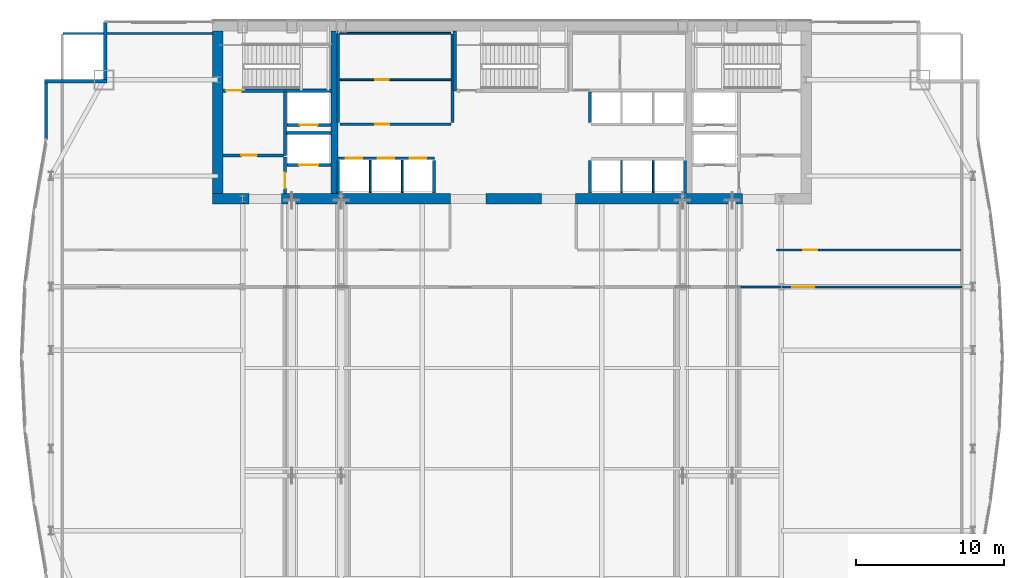
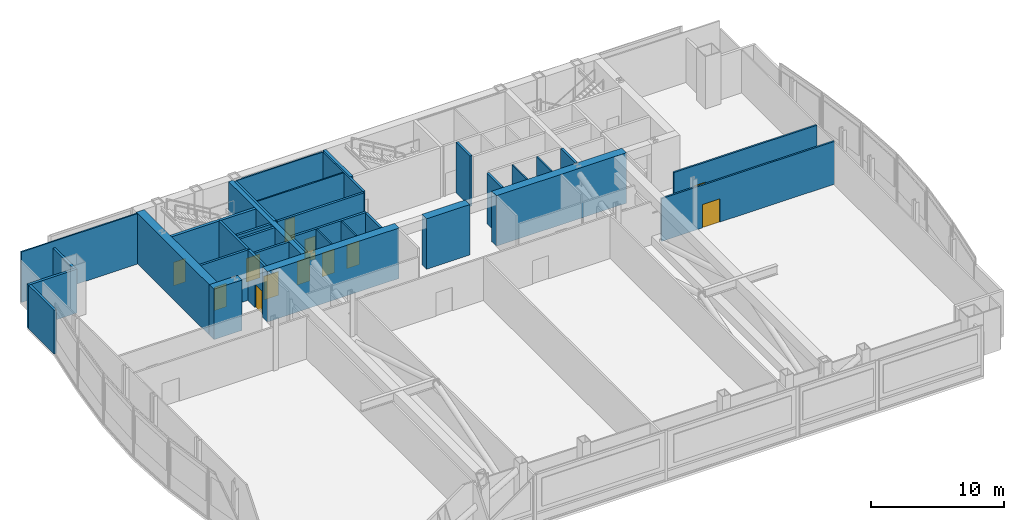
# One storey, part 25 of 30: 35 walls, 12 doors, 12 openings.
"""IFC4 building model written with IfcOpenShell, lengths in metres."""

from ifc_helpers import new_model, si_unit, direction, frame, frame_2d, origin, place, context, subcontext, project, spatial, rectangle, extrude, material, layer, layer_set, type_object, element, fill, save


model = new_model("IFC4")

# Units and contexts
model_context = context("Model", 3, precision=1e-05, world=origin(), true_north=direction((0.0, 1.0)))
body_context = subcontext(model_context, "Body", "Model", "MODEL_VIEW")
ifc_project = project(units=[si_unit("LENGTHUNIT", "METRE"), si_unit("AREAUNIT", "SQUARE_METRE"), si_unit("VOLUMEUNIT", "CUBIC_METRE"), si_unit("PLANEANGLEUNIT", "RADIAN"), si_unit("MASSUNIT", "GRAM", prefix="KILO")], contexts=[model_context])

# Site, building, storey
site_placement = place(None, origin())
site = spatial("IfcSite", under=ifc_project, at=site_placement, CompositionType="ELEMENT")
building_placement = place(site_placement, origin())
building = spatial("IfcBuilding", under=site, at=building_placement, Name="Khoronbel Lancet Exchange", CompositionType="ELEMENT")
storey_placement = place(building_placement, frame((0.0, 0.0, 172.199951171875)))
storey = spatial("IfcBuildingStorey", under=building, at=storey_placement, Name="L43", CompositionType="ELEMENT", Elevation=172.199951171875)

# Walls
ifc_material_1 = material(Name="Concrete C80/95", Category="concrete")
ifc_layer_1 = layer(ifc_material_1, 0.699951171875, Name="Concrete C80/95")
ifc_layer_set_1 = layer_set([ifc_layer_1], Name="Concrete C80/95")
wall_type_1 = type_object("IfcWallType", Name="WL-CW2", PredefinedType="SHEAR", material=ifc_layer_set_1)
wall_1_placement = place(storey_placement, frame((16.550048828125, 42.0, 0.0), z_axis=(0.0, 0.0, 1.0), x_axis=(0.0, 1.0, 0.0)))
element("IfcWall", 1, at=wall_1_placement, inside=storey, type_object=wall_type_1, Name="Level L43 rear core west shear wall", PredefinedType="SHEAR", context=body_context, shape_type="SweptSolid", body=[
    extrude(rectangle(XDim=11.0, YDim=0.699951171875, at=frame_2d((5.5, 0.0))), origin(), (0.0, 0.0, 1.0), 4.64013671875),
])
wall_2_placement = place(storey_placement, frame((18.64990234375, 41.64990234375, 0.0), z_axis=(0.0, 0.0, 1.0), x_axis=(-1.0, 0.0, 0.0)))
element("IfcWall", 2, at=wall_2_placement, inside=storey, type_object=wall_type_1, Name="Level L43 rear core south shear wall pier P1", PredefinedType="SHEAR", context=body_context, shape_type="SweptSolid", body=[
    extrude(rectangle(XDim=2.449951171875, YDim=0.699951171875, at=frame_2d((1.22509765625, 0.0))), origin(), (0.0, 0.0, 1.0), 4.64013671875),
])
wall_3_placement = place(storey_placement, frame((32.300048828125, 41.64990234375, 0.0), z_axis=(0.0, 0.0, 1.0), x_axis=(-1.0, 0.0, 0.0)))
element("IfcWall", 3, at=wall_3_placement, inside=storey, type_object=wall_type_1, Name="Level L43 rear core south shear wall pier P2", PredefinedType="SHEAR", context=body_context, shape_type="SweptSolid", body=[
    extrude(rectangle(XDim=11.449951171875, YDim=0.699951171875, at=frame_2d((5.72509765625, 0.0))), origin(), (0.0, 0.0, 1.0), 4.64013671875),
])
wall_4_placement = place(storey_placement, frame((38.449951171875, 41.64990234375, 0.0), z_axis=(0.0, 0.0, 1.0), x_axis=(-1.0, 0.0, 0.0)))
element("IfcWall", 4, at=wall_4_placement, inside=storey, type_object=wall_type_1, Name="Level L43 rear core south shear wall pier P3", PredefinedType="SHEAR", context=body_context, shape_type="SweptSolid", body=[
    extrude(rectangle(XDim=3.75, YDim=0.699951171875, at=frame_2d((1.875, 0.0))), origin(), (0.0, 0.0, 1.0), 4.64013671875),
])
wall_5_placement = place(storey_placement, frame((52.050048828125, 41.64990234375, 0.0), z_axis=(0.0, 0.0, 1.0), x_axis=(-1.0, 0.0, 0.0)))
element("IfcWall", 5, at=wall_5_placement, inside=storey, type_object=wall_type_1, Name="Level L43 rear core south shear wall pier P4", PredefinedType="SHEAR", context=body_context, shape_type="SweptSolid", body=[
    extrude(rectangle(XDim=11.300048828125, YDim=0.699951171875, at=frame_2d((5.64990234375, 0.0))), origin(), (0.0, 0.0, 1.0), 4.64013671875),
])
ifc_material_2 = material(Name="Precast concrete C40/50", Category="concrete")
ifc_layer_2 = layer(ifc_material_2, 0.25, Name="Precast concrete C40/50")
ifc_layer_set_2 = layer_set([ifc_layer_2], Name="Precast concrete C40/50")
wall_type_2 = type_object("IfcWallType", Name="WL-EXT250", PredefinedType="SOLIDWALL", material=ifc_layer_set_2)
wall_6_placement = place(storey_placement, frame((4.93994140625, 45.67236328125, 0.0), z_axis=(0.0, 0.0, 1.0), x_axis=(0.0, 1.0, 0.0)))
element("IfcWall", 6, at=wall_6_placement, inside=storey, type_object=wall_type_2, Name="Level L43 notched-corner limestone pier 10", PredefinedType="SOLIDWALL", context=body_context, shape_type="SweptSolid", body=[
    extrude(rectangle(XDim=3.82763671875, YDim=0.219970703125, at=frame_2d((1.913818359375, 0.0))), origin(), (0.0, 0.0, 1.0), 4.030029296875),
])
wall_7_placement = place(storey_placement, frame((4.830078125, 49.610107421875, 0.0), z_axis=(0.0, 0.0, 1.0), x_axis=(1.0, 0.0, 0.0)))
element("IfcWall", 7, at=wall_7_placement, inside=storey, type_object=wall_type_2, Name="Level L43 notched-corner limestone pier 11", PredefinedType="SOLIDWALL", context=body_context, shape_type="SweptSolid", body=[
    extrude(rectangle(XDim=4.219970703125, YDim=0.219970703125, at=frame_2d((2.10986328125, 0.0))), origin(), (0.0, 0.0, 1.0), 4.030029296875),
])
wall_8_placement = place(storey_placement, frame((8.93994140625, 49.719970703125, 0.0), z_axis=(0.0, 0.0, 1.0), x_axis=(0.0, 1.0, 0.0)))
element("IfcWall", 8, at=wall_8_placement, inside=storey, type_object=wall_type_2, Name="Level L43 notched-corner limestone pier 12", PredefinedType="SOLIDWALL", context=body_context, shape_type="SweptSolid", body=[
    extrude(rectangle(XDim=3.909912109375, YDim=0.219970703125, at=frame_2d((1.955078125, 0.0))), origin(), (0.0, 0.0, 1.0), 4.030029296875),
])
ifc_material_3 = material(Name="Acoustic Metal-Stud & Mineral-Wool Gypsum Partition 120 mm", Category="gypsum")
ifc_layer_3 = layer(ifc_material_3, 0.1201171875, Name="Acoustic Metal-Stud & Mineral-Wool Gypsum Partition 120 mm")
ifc_layer_set_3 = layer_set([ifc_layer_3], Name="Acoustic Metal-Stud & Mineral-Wool Gypsum Partition 120 mm")
wall_type_3 = type_object("IfcWallType", Name="WL-PRT120", PredefinedType="PARTITIONING", material=ifc_layer_set_3)
wall_9_placement = place(storey_placement, frame((6.094970703125, 52.840087890625, 0.0), z_axis=(0.0, 0.0, 1.0), x_axis=(1.0, 0.0, 0.0)))
element("IfcWall", 9, at=wall_9_placement, inside=storey, type_object=wall_type_3, Name="Level L43 interior partition PW-LIN-NW", PredefinedType="PARTITIONING", context=body_context, shape_type="SweptSolid", body=[
    extrude(rectangle(XDim=10.10498046875, YDim=0.1201171875, at=frame_2d((5.052490234375, 0.0))), origin(), (0.0, 0.0, 1.0), 4.64013671875),
])
ifc_material_4 = material(Name="Fire-Rated Metal-Stud & Mineral-Wool Gypsum Partition 120 mm", Category="gypsum")
ifc_layer_4 = layer(ifc_material_4, 0.1201171875, Name="Fire-Rated Metal-Stud & Mineral-Wool Gypsum Partition 120 mm")
ifc_layer_set_4 = layer_set([ifc_layer_4], Name="Fire-Rated Metal-Stud & Mineral-Wool Gypsum Partition 120 mm")
wall_type_4 = type_object("IfcWallType", Name="WL-PRT120F", PredefinedType="PARTITIONING", material=ifc_layer_set_4)
wall_10_placement = place(storey_placement, frame((24.804931640625, 52.860107421875, 0.0), z_axis=(0.0, 0.0, 1.0), x_axis=(1.0, 0.0, 0.0)))
element("IfcWall", 10, at=wall_10_placement, inside=storey, type_object=wall_type_4, Name="Level L43 interior partition CW-PL-RN", PredefinedType="PARTITIONING", context=body_context, shape_type="SweptSolid", body=[
    extrude(rectangle(XDim=7.510009765625, YDim=0.1201171875, at=frame_2d((3.7548828125, 0.0))), origin(), (0.0, 0.0, 1.0), 4.64013671875),
])

# Wall, opening, door
wall_11_placement = place(storey_placement, frame((24.804931640625, 49.708740234375, 0.0), z_axis=(0.0, 0.0, 1.0), x_axis=(1.0, 0.0, 0.0)))
wall_11 = element("IfcWall", 11, at=wall_11_placement, inside=storey, type_object=wall_type_4, Name="Level L43 interior partition CW-PL-RH", PredefinedType="PARTITIONING", context=body_context, shape_type="SweptSolid", body=[
    extrude(rectangle(XDim=7.510009765625, YDim=0.1201171875, at=frame_2d((3.7548828125, 0.0))), origin(), (0.0, 0.0, 1.0), 4.64013671875),
])
opening_1_placement = place(wall_11_placement, frame((2.39990234375, 0.0, 0.0)))
opening_1 = element("IfcOpeningElement", 12, at=opening_1_placement, cuts=wall_11, Name="Opening FD4", PredefinedType="OPENING", context=body_context, shape_type="SweptSolid", body=[
    extrude(rectangle(XDim=0.89990234375, YDim=2.050048828125, at=frame_2d((0.449951171875, 1.02490234375))), frame((0.0, 0.070068359375, 0.0), z_axis=(0.0, -1.0, 0.0), x_axis=(1.0, 0.0, 0.0)), (0.0, 0.0, 1.0), 0.14013671875),
])
ifc_material_5 = material(Name="Fire-Rated Steel Core Support Door Assembly", Category="steel")
door_type_1 = type_object("IfcDoorType", Name="DR-FD4", OperationType="NOTDEFINED", PredefinedType="DOOR", material=ifc_material_5)
door_1_placement = place(opening_1_placement, origin())
door_1 = element("IfcDoor", 13, at=door_1_placement, inside=storey, type_object=door_type_1, Name="Core PL inner store door L43-1", OperationType="SINGLE_SWING_LEFT", OverallHeight=2.050048828125, OverallWidth=0.89990234375, PredefinedType="DOOR", context=body_context, shape_type="SweptSolid", body=[
    extrude(rectangle(XDim=0.89990234375, YDim=2.050048828125, at=frame_2d((0.449951171875, 1.02490234375))), frame((0.0, 0.02490234375, 0.0), z_axis=(0.0, -1.0, 0.0), x_axis=(1.0, 0.0, 0.0)), (0.0, 0.0, 1.0), 0.050048828125),
])
fill(opening_1, door_1)

# Walls
for number, where, z_axis, x_axis, name in (
    (14, (26.860107421875, 42.050048828125, 0.0), (0.0, 0.0, 1.0), (0.0, 1.0, 0.0), "Level L43 interior partition CW-PM-D1"),
    (15, (29.02001953125, 42.050048828125, 0.0), (0.0, 0.0, 1.0), (0.0, 1.0, 0.0), "Level L43 interior partition CW-PM-D2"),
):
    element("IfcWall", number, at=place(storey_placement, frame(where, z_axis=z_axis, x_axis=x_axis)), inside=storey, type_object=wall_type_4, Name=name, PredefinedType="PARTITIONING", context=body_context, shape_type="SweptSolid", body=[
        extrude(rectangle(XDim=2.199951171875, YDim=0.1201171875, at=frame_2d((1.10009765625, 0.0))), origin(), (0.0, 0.0, 1.0), 4.64013671875),
    ])
for number, where, z_axis, x_axis, name in (
    (16, (43.860107421875, 42.050048828125, 0.0), (0.0, 0.0, 1.0), (0.0, 1.0, 0.0), "Level L43 interior partition CW-PX-D1"),
    (17, (46.0, 42.050048828125, 0.0), (0.0, 0.0, 1.0), (0.0, 1.0, 0.0), "Level L43 interior partition CW-PX-D2"),
):
    element("IfcWall", number, at=place(storey_placement, frame(where, z_axis=z_axis, x_axis=x_axis)), inside=storey, type_object=wall_type_4, Name=name, PredefinedType="PARTITIONING", context=body_context, shape_type="SweptSolid", body=[
        extrude(rectangle(XDim=2.195068359375, YDim=0.1201171875, at=frame_2d((1.09765625, 0.0))), origin(), (0.0, 0.0, 1.0), 4.64013671875),
    ])

# Wall, opening, door
ifc_material_6 = material(Name="Fire-Rated Twin-Stud Acoustic Gypsum Partition 150 mm", Category="gypsum")
ifc_layer_5 = layer(ifc_material_6, 0.14990234375, Name="Fire-Rated Twin-Stud Acoustic Gypsum Partition 150 mm")
ifc_layer_set_5 = layer_set([ifc_layer_5], Name="Fire-Rated Twin-Stud Acoustic Gypsum Partition 150 mm")
wall_type_5 = type_object("IfcWallType", Name="WL-PRT150C", PredefinedType="PARTITIONING", material=ifc_layer_set_5)
wall_12_placement = place(storey_placement, frame((51.85009765625, 35.699951171875, 0.0), z_axis=(0.0, 0.0, 1.0), x_axis=(1.0, 0.0, 0.0)))
wall_12 = element("IfcWall", 18, at=wall_12_placement, inside=storey, type_object=wall_type_5, Name="Level L43 interior partition PW-RF-S6", PredefinedType="PARTITIONING", context=body_context, shape_type="SweptSolid", body=[
    extrude(rectangle(XDim=15.02001953125, YDim=0.14990234375, at=frame_2d((7.510009765625, 0.0))), origin(), (0.0, 0.0, 1.0), 3.929931640625),
])
opening_2_placement = place(wall_12_placement, frame((3.550048828125, 0.0, 0.0)))
opening_2 = element("IfcOpeningElement", 19, at=opening_2_placement, cuts=wall_12, Name="Opening FD2", PredefinedType="OPENING", context=body_context, shape_type="SweptSolid", body=[
    extrude(rectangle(XDim=1.5, YDim=2.14990234375, at=frame_2d((0.75, 1.074951171875))), frame((0.0, 0.0849609375, 0.0), z_axis=(0.0, -1.0, 0.0), x_axis=(1.0, 0.0, 0.0)), (0.0, 0.0, 1.0), 0.169921875),
])
ifc_material_7 = material(Name="Fire-Rated Painted Steel Door Assembly", Category="steel")
door_type_2 = type_object("IfcDoorType", Name="DR-FD2", OperationType="NOTDEFINED", PredefinedType="DOOR", material=ifc_material_7)
door_2_placement = place(opening_2_placement, origin())
door_2 = element("IfcDoor", 20, at=door_2_placement, inside=storey, type_object=door_type_2, Name="East refuge area fire door L43-1", OperationType="DOUBLE_DOOR_SINGLE_SWING", OverallHeight=2.14990234375, OverallWidth=1.5, PredefinedType="DOOR", context=body_context, shape_type="SweptSolid", body=[
    extrude(rectangle(XDim=1.5, YDim=2.14990234375, at=frame_2d((0.75, 1.074951171875))), frame((0.0, 0.02490234375, 0.0), z_axis=(0.0, -1.0, 0.0), x_axis=(1.0, 0.0, 0.0)), (0.0, 0.0, 1.0), 0.050048828125),
])
fill(opening_2, door_2)

wall_13_placement = place(storey_placement, frame((54.35009765625, 38.199951171875, 0.0), z_axis=(0.0, 0.0, 1.0), x_axis=(1.0, 0.0, 0.0)))
wall_13 = element("IfcWall", 21, at=wall_13_placement, inside=storey, type_object=wall_type_5, Name="Level L43 interior partition PW-RF-NES", PredefinedType="PARTITIONING", context=body_context, shape_type="SweptSolid", body=[
    extrude(rectangle(XDim=12.454833984375, YDim=0.14990234375, at=frame_2d((6.2275390625, 0.0))), origin(), (0.0, 0.0, 1.0), 3.929931640625),
])
opening_3_placement = place(wall_13_placement, frame((1.800048828125, 0.0, 0.0)))
opening_3 = element("IfcOpeningElement", 22, at=opening_3_placement, cuts=wall_13, Name="Opening FD3", PredefinedType="OPENING", context=body_context, shape_type="SweptSolid", body=[
    extrude(rectangle(XDim=0.949951171875, YDim=2.10009765625, at=frame_2d((0.47509765625, 1.050048828125))), frame((0.0, 0.0849609375, 0.0), z_axis=(0.0, -1.0, 0.0), x_axis=(1.0, 0.0, 0.0)), (0.0, 0.0, 1.0), 0.169921875),
])
ifc_material_8 = material(Name="Fire-Rated Steel Plant & Riser Door Assembly", Category="steel")
door_type_3 = type_object("IfcDoorType", Name="DR-FD3", OperationType="NOTDEFINED", PredefinedType="DOOR", material=ifc_material_8)
door_3_placement = place(opening_3_placement, origin())
door_3 = element("IfcDoor", 23, at=door_3_placement, inside=storey, type_object=door_type_3, Name="NE UPS plant door L43-1", OperationType="SINGLE_SWING_RIGHT", OverallHeight=2.10009765625, OverallWidth=0.949951171875, PredefinedType="DOOR", context=body_context, shape_type="SweptSolid", body=[
    extrude(rectangle(XDim=0.949951171875, YDim=2.10009765625, at=frame_2d((0.47509765625, 1.050048828125))), frame((0.0, 0.02490234375, 0.0), z_axis=(0.0, -1.0, 0.0), x_axis=(1.0, 0.0, 0.0)), (0.0, 0.0, 1.0), 0.050048828125),
])
fill(opening_3, door_3)

# Wall, openings, doors
ifc_material_9 = material(Name="Autoclaved Aerated Concrete Blockwork 200 mm", Category="masonry")
ifc_layer_6 = layer(ifc_material_9, 0.199951171875, Name="Autoclaved Aerated Concrete Blockwork 200 mm")
ifc_layer_set_6 = layer_set([ifc_layer_6], Name="Autoclaved Aerated Concrete Blockwork 200 mm")
wall_type_6 = type_object("IfcWallType", Name="WL-PRT200", PredefinedType="PARTITIONING", material=ifc_layer_set_6)
wall_14_placement = place(storey_placement, frame((24.68994140625, 44.39990234375, 0.0), z_axis=(0.0, 0.0, 1.0), x_axis=(1.0, 0.0, 0.0)))
wall_14 = element("IfcWall", 24, at=wall_14_placement, inside=storey, type_object=wall_type_6, Name="Level L43 elevator hoistway landing front wall PMW", PredefinedType="PARTITIONING", context=body_context, shape_type="SweptSolid", body=[
    extrude(rectangle(XDim=6.530029296875, YDim=0.199951171875, at=frame_2d((3.26513671875, 0.0))), origin(), (0.0, 0.0, 1.0), 4.64013671875),
])
opening_4_placement = place(wall_14_placement, frame((0.530029296875, 0.0, 0.0)))
opening_4 = element("IfcOpeningElement", 25, at=opening_4_placement, cuts=wall_14, Name="Opening LD-PM1", PredefinedType="OPENING", context=body_context, shape_type="SweptSolid", body=[
    extrude(rectangle(XDim=1.10009765625, YDim=2.179931640625, at=frame_2d((0.550048828125, 1.08984375))), frame((0.0, 0.10986328125, 0.0), z_axis=(0.0, -1.0, 0.0), x_axis=(1.0, 0.0, 0.0)), (0.0, 0.0, 1.0), 0.219970703125),
])
opening_5_placement = place(wall_14_placement, frame((2.68994140625, 0.0, 0.0)))
opening_5 = element("IfcOpeningElement", 26, at=opening_5_placement, cuts=wall_14, Name="Opening LD-PM2", PredefinedType="OPENING", context=body_context, shape_type="SweptSolid", body=[
    extrude(rectangle(XDim=1.10009765625, YDim=2.179931640625, at=frame_2d((0.550048828125, 1.08984375))), frame((0.0, 0.10986328125, 0.0), z_axis=(0.0, -1.0, 0.0), x_axis=(1.0, 0.0, 0.0)), (0.0, 0.0, 1.0), 0.219970703125),
])
opening_6_placement = place(wall_14_placement, frame((4.85009765625, 0.0, 0.0)))
opening_6 = element("IfcOpeningElement", 27, at=opening_6_placement, cuts=wall_14, Name="Opening LD-PM3", PredefinedType="OPENING", context=body_context, shape_type="SweptSolid", body=[
    extrude(rectangle(XDim=1.10009765625, YDim=2.179931640625, at=frame_2d((0.550048828125, 1.08984375))), frame((0.0, 0.10986328125, 0.0), z_axis=(0.0, -1.0, 0.0), x_axis=(1.0, 0.0, 0.0)), (0.0, 0.0, 1.0), 0.219970703125),
])
ifc_material_10 = material(Name="Brushed Bronze Bi-Parting Elevator Landing Door", Category="steel")
door_type_4 = type_object("IfcDoorType", Name="DR-LD-PAX", OperationType="NOTDEFINED", PredefinedType="DOOR", material=ifc_material_10)
door_4_placement = place(opening_4_placement, origin())
door_4 = element("IfcDoor", 28, at=door_4_placement, inside=storey, type_object=door_type_4, Name="Elevator landing sliding door LD-PM1 L43", OperationType="SLIDING_TO_LEFT", OverallHeight=2.179931640625, OverallWidth=1.10009765625, PredefinedType="DOOR", context=body_context, shape_type="SweptSolid", body=[
    extrude(rectangle(XDim=1.10009765625, YDim=2.179931640625, at=frame_2d((0.550048828125, 1.08984375))), frame((0.0, 0.02490234375, 0.0), z_axis=(0.0, -1.0, 0.0), x_axis=(1.0, 0.0, 0.0)), (0.0, 0.0, 1.0), 0.050048828125),
])
fill(opening_4, door_4)
door_5_placement = place(opening_5_placement, origin())
door_5 = element("IfcDoor", 29, at=door_5_placement, inside=storey, type_object=door_type_4, Name="Elevator landing sliding door LD-PM2 L43", OperationType="SLIDING_TO_LEFT", OverallHeight=2.179931640625, OverallWidth=1.10009765625, PredefinedType="DOOR", context=body_context, shape_type="SweptSolid", body=[
    extrude(rectangle(XDim=1.10009765625, YDim=2.179931640625, at=frame_2d((0.550048828125, 1.08984375))), frame((0.0, 0.02490234375, 0.0), z_axis=(0.0, -1.0, 0.0), x_axis=(1.0, 0.0, 0.0)), (0.0, 0.0, 1.0), 0.050048828125),
])
fill(opening_5, door_5)
door_6_placement = place(opening_6_placement, origin())
door_6 = element("IfcDoor", 30, at=door_6_placement, inside=storey, type_object=door_type_4, Name="Elevator landing sliding door LD-PM3 L43", OperationType="SLIDING_TO_LEFT", OverallHeight=2.179931640625, OverallWidth=1.10009765625, PredefinedType="DOOR", context=body_context, shape_type="SweptSolid", body=[
    extrude(rectangle(XDim=1.10009765625, YDim=2.179931640625, at=frame_2d((0.550048828125, 1.08984375))), frame((0.0, 0.02490234375, 0.0), z_axis=(0.0, -1.0, 0.0), x_axis=(1.0, 0.0, 0.0)), (0.0, 0.0, 1.0), 0.050048828125),
])
fill(opening_6, door_6)

# Wall, opening, door
wall_15_placement = place(storey_placement, frame((24.2099609375, 43.949951171875, 0.0), z_axis=(0.0, 0.0, 1.0), x_axis=(-1.0, 0.0, 0.0)))
wall_15 = element("IfcWall", 31, at=wall_15_placement, inside=storey, type_object=wall_type_6, Name="Level L43 elevator hoistway landing front wall SVLW", PredefinedType="PARTITIONING", context=body_context, shape_type="SweptSolid", body=[
    extrude(rectangle(XDim=2.969970703125, YDim=0.199951171875, at=frame_2d((1.48486328125, 0.0))), origin(), (0.0, 0.0, 1.0), 4.64013671875),
])
opening_7_placement = place(wall_15_placement, frame((0.860107421875, 0.0, 0.0)))
opening_7 = element("IfcOpeningElement", 32, at=opening_7_placement, cuts=wall_15, Name="Opening LD-SVL1", PredefinedType="OPENING", context=body_context, shape_type="SweptSolid", body=[
    extrude(rectangle(XDim=1.300048828125, YDim=2.179931640625, at=frame_2d((0.64990234375, 1.08984375))), frame((0.0, 0.10986328125, 0.0), z_axis=(0.0, -1.0, 0.0), x_axis=(1.0, 0.0, 0.0)), (0.0, 0.0, 1.0), 0.219970703125),
])
ifc_material_11 = material(Name="Heavy-Duty Bi-Parting Goods Lift Landing Door", Category="steel")
door_type_5 = type_object("IfcDoorType", Name="DR-LD-SVL", OperationType="NOTDEFINED", PredefinedType="DOOR", material=ifc_material_11)
door_7_placement = place(opening_7_placement, origin())
door_7 = element("IfcDoor", 33, at=door_7_placement, inside=storey, type_object=door_type_5, Name="Elevator landing sliding door LD-SVL1 L43", OperationType="SLIDING_TO_LEFT", OverallHeight=2.179931640625, OverallWidth=1.300048828125, PredefinedType="DOOR", context=body_context, shape_type="SweptSolid", body=[
    extrude(rectangle(XDim=1.300048828125, YDim=2.179931640625, at=frame_2d((0.64990234375, 1.08984375))), frame((0.0, 0.02490234375, 0.0), z_axis=(0.0, -1.0, 0.0), x_axis=(1.0, 0.0, 0.0)), (0.0, 0.0, 1.0), 0.050048828125),
])
fill(opening_7, door_7)

wall_16_placement = place(storey_placement, frame((24.2099609375, 46.64990234375, 0.0), z_axis=(0.0, 0.0, 1.0), x_axis=(-1.0, 0.0, 0.0)))
wall_16 = element("IfcWall", 34, at=wall_16_placement, inside=storey, type_object=wall_type_6, Name="Level L43 elevator hoistway landing front wall FFLW", PredefinedType="PARTITIONING", context=body_context, shape_type="SweptSolid", body=[
    extrude(rectangle(XDim=2.969970703125, YDim=0.199951171875, at=frame_2d((1.48486328125, 0.0))), origin(), (0.0, 0.0, 1.0), 4.64013671875),
])
opening_8_placement = place(wall_16_placement, frame((0.909912109375, 0.0, 0.0)))
opening_8 = element("IfcOpeningElement", 35, at=opening_8_placement, cuts=wall_16, Name="Opening LD-FFL1", PredefinedType="OPENING", context=body_context, shape_type="SweptSolid", body=[
    extrude(rectangle(XDim=1.199951171875, YDim=2.179931640625, at=frame_2d((0.60009765625, 1.08984375))), frame((0.0, 0.10986328125, 0.0), z_axis=(0.0, -1.0, 0.0), x_axis=(1.0, 0.0, 0.0)), (0.0, 0.0, 1.0), 0.219970703125),
])
ifc_material_12 = material(Name="Fire-Rated Stainless Bi-Parting Firefighting Lift Door", Category="steel")
door_type_6 = type_object("IfcDoorType", Name="DR-LD-FFL", OperationType="NOTDEFINED", PredefinedType="DOOR", material=ifc_material_12)
door_8_placement = place(opening_8_placement, origin())
door_8 = element("IfcDoor", 36, at=door_8_placement, inside=storey, type_object=door_type_6, Name="Elevator landing sliding door LD-FFL1 L43", OperationType="SLIDING_TO_LEFT", OverallHeight=2.179931640625, OverallWidth=1.199951171875, PredefinedType="DOOR", context=body_context, shape_type="SweptSolid", body=[
    extrude(rectangle(XDim=1.199951171875, YDim=2.179931640625, at=frame_2d((0.60009765625, 1.08984375))), frame((0.0, 0.02490234375, 0.0), z_axis=(0.0, -1.0, 0.0), x_axis=(1.0, 0.0, 0.0)), (0.0, 0.0, 1.0), 0.050048828125),
])
fill(opening_8, door_8)

# Wall
wall_17_placement = place(storey_placement, frame((21.10009765625, 44.60009765625, 0.0), z_axis=(0.0, 0.0, 1.0), x_axis=(0.0, 1.0, 0.0)))
element("IfcWall", 37, at=wall_17_placement, inside=storey, type_object=wall_type_6, Name="Level L43 interior partition CW-FFLW-E", PredefinedType="PARTITIONING", context=body_context, shape_type="SweptSolid", body=[
    extrude(rectangle(XDim=4.2998046875, YDim=0.199951171875, at=frame_2d((2.14990234375, 0.0))), origin(), (0.0, 0.0, 1.0), 4.64013671875),
])

# Wall, opening, door
wall_18_placement = place(storey_placement, frame((16.89990234375, 44.60009765625, 0.0), z_axis=(0.0, 0.0, 1.0), x_axis=(1.0, 0.0, 0.0)))
wall_18 = element("IfcWall", 38, at=wall_18_placement, inside=storey, type_object=wall_type_6, Name="Level L43 interior partition CW-FFLW-S", PredefinedType="PARTITIONING", context=body_context, shape_type="SweptSolid", body=[
    extrude(rectangle(XDim=4.10009765625, YDim=0.199951171875, at=frame_2d((2.050048828125, 0.0))), origin(), (0.0, 0.0, 1.0), 4.64013671875),
])
opening_9_placement = place(wall_18_placement, frame((1.25, 0.0, 0.0)))
opening_9 = element("IfcOpeningElement", 39, at=opening_9_placement, cuts=wall_18, Name="Opening FD1", PredefinedType="OPENING", context=body_context, shape_type="SweptSolid", body=[
    extrude(rectangle(XDim=1.050048828125, YDim=2.14990234375, at=frame_2d((0.52490234375, 1.074951171875))), frame((0.0, 0.10986328125, 0.0), z_axis=(0.0, -1.0, 0.0), x_axis=(1.0, 0.0, 0.0)), (0.0, 0.0, 1.0), 0.219970703125),
])
door_type_7 = type_object("IfcDoorType", Name="DR-FD1", OperationType="NOTDEFINED", PredefinedType="DOOR", material=ifc_material_7)
door_9_placement = place(opening_9_placement, origin())
door_9 = element("IfcDoor", 40, at=door_9_placement, inside=storey, type_object=door_type_7, Name="West firefighting lobby FD90S door L43-1", OperationType="SINGLE_SWING_LEFT", OverallHeight=2.14990234375, OverallWidth=1.050048828125, PredefinedType="DOOR", context=body_context, shape_type="SweptSolid", body=[
    extrude(rectangle(XDim=1.050048828125, YDim=2.14990234375, at=frame_2d((0.52490234375, 1.074951171875))), frame((0.0, 0.02490234375, 0.0), z_axis=(0.0, -1.0, 0.0), x_axis=(1.0, 0.0, 0.0)), (0.0, 0.0, 1.0), 0.050048828125),
])
fill(opening_9, door_9)

# Wall
wall_19_placement = place(storey_placement, frame((21.199951171875, 46.1201171875, 0.0), z_axis=(0.0, 0.0, 1.0), x_axis=(1.0, 0.0, 0.0)))
element("IfcWall", 41, at=wall_19_placement, inside=storey, type_object=wall_type_6, Name="Level L43 interior partition CW-FFL1-S", PredefinedType="PARTITIONING", context=body_context, shape_type="SweptSolid", body=[
    extrude(rectangle(XDim=3.02001953125, YDim=0.199951171875, at=frame_2d((1.510009765625, 0.0))), origin(), (0.0, 0.0, 1.0), 4.64013671875),
])

# Wall, opening, door
wall_20_placement = place(storey_placement, frame((21.10009765625, 42.0, 0.0), z_axis=(0.0, 0.0, 1.0), x_axis=(0.0, 1.0, 0.0)))
wall_20 = element("IfcWall", 42, at=wall_20_placement, inside=storey, type_object=wall_type_6, Name="Level L43 interior partition CW-SVLW-W", PredefinedType="PARTITIONING", context=body_context, shape_type="SweptSolid", body=[
    extrude(rectangle(XDim=2.4951171875, YDim=0.199951171875, at=frame_2d((1.24755859375, 0.0))), origin(), (0.0, 0.0, 1.0), 4.64013671875),
])
opening_10_placement = place(wall_20_placement, frame((0.3798828125, 0.0, 0.0)))
opening_10 = element("IfcOpeningElement", 43, at=opening_10_placement, cuts=wall_20, Name="Opening FD1", PredefinedType="OPENING", context=body_context, shape_type="SweptSolid", body=[
    extrude(rectangle(XDim=1.050048828125, YDim=2.14990234375, at=frame_2d((0.52490234375, 1.074951171875))), frame((0.0, 0.10986328125, 0.0), z_axis=(0.0, -1.0, 0.0), x_axis=(1.0, 0.0, 0.0)), (0.0, 0.0, 1.0), 0.219970703125),
])
door_10_placement = place(opening_10_placement, origin())
door_10 = element("IfcDoor", 44, at=door_10_placement, inside=storey, type_object=door_type_7, Name="West service lift lobby door L43-1", OperationType="SINGLE_SWING_RIGHT", OverallHeight=2.14990234375, OverallWidth=1.050048828125, PredefinedType="DOOR", context=body_context, shape_type="SweptSolid", body=[
    extrude(rectangle(XDim=1.050048828125, YDim=2.14990234375, at=frame_2d((0.52490234375, 1.074951171875))), frame((0.0, 0.02490234375, 0.0), z_axis=(0.0, -1.0, 0.0), x_axis=(1.0, 0.0, 0.0)), (0.0, 0.0, 1.0), 0.050048828125),
])
fill(opening_10, door_10)

# Walls
for number, where, z_axis, x_axis, name in (
    (45, (24.699951171875, 46.804931640625, 0.0), (0.0, 0.0, 1.0), (0.0, 1.0, 0.0), "Level L43 interior partition CW-PL-RW"),
    (46, (32.419921875, 46.804931640625, 0.0), (0.0, 0.0, 1.0), (0.0, 1.0, 0.0), "Level L43 interior partition CW-PL-RE"),
):
    element("IfcWall", number, at=place(storey_placement, frame(where, z_axis=z_axis, x_axis=x_axis)), inside=storey, type_object=wall_type_6, Name=name, PredefinedType="PARTITIONING", context=body_context, shape_type="SweptSolid", body=[
        extrude(rectangle(XDim=5.989990234375, YDim=0.199951171875, at=frame_2d((2.9951171875, 0.0))), origin(), (0.0, 0.0, 1.0), 4.64013671875),
    ])

# Wall, opening, door
wall_21_placement = place(storey_placement, frame((24.804931640625, 46.699951171875, 0.0), z_axis=(0.0, 0.0, 1.0), x_axis=(1.0, 0.0, 0.0)))
wall_21 = element("IfcWall", 47, at=wall_21_placement, inside=storey, type_object=wall_type_6, Name="Level L43 interior partition CW-PL-RF", PredefinedType="PARTITIONING", context=body_context, shape_type="SweptSolid", body=[
    extrude(rectangle(XDim=7.510009765625, YDim=0.199951171875, at=frame_2d((3.7548828125, 0.0))), origin(), (0.0, 0.0, 1.0), 4.64013671875),
])
opening_11_placement = place(wall_21_placement, frame((2.39990234375, 0.0, 0.0)))
opening_11 = element("IfcOpeningElement", 48, at=opening_11_placement, cuts=wall_21, Name="Opening FD3", PredefinedType="OPENING", context=body_context, shape_type="SweptSolid", body=[
    extrude(rectangle(XDim=0.949951171875, YDim=2.10009765625, at=frame_2d((0.47509765625, 1.050048828125))), frame((0.0, 0.10986328125, 0.0), z_axis=(0.0, -1.0, 0.0), x_axis=(1.0, 0.0, 0.0)), (0.0, 0.0, 1.0), 0.219970703125),
])
door_11_placement = place(opening_11_placement, origin())
door_11 = element("IfcDoor", 49, at=door_11_placement, inside=storey, type_object=door_type_3, Name="Core PL merged gallery room door L43-1", OperationType="SINGLE_SWING_RIGHT", OverallHeight=2.10009765625, OverallWidth=0.949951171875, PredefinedType="DOOR", context=body_context, shape_type="SweptSolid", body=[
    extrude(rectangle(XDim=0.949951171875, YDim=2.10009765625, at=frame_2d((0.47509765625, 1.050048828125))), frame((0.0, 0.02490234375, 0.0), z_axis=(0.0, -1.0, 0.0), x_axis=(1.0, 0.0, 0.0)), (0.0, 0.0, 1.0), 0.050048828125),
])
fill(opening_11, door_11)

# Walls
for number, where, z_axis, x_axis, name in (
    (50, (24.699951171875, 42.050048828125, 0.0), (0.0, 0.0, 1.0), (0.0, 1.0, 0.0), "Level L43 interior partition CW-PM-W"),
    (51, (31.179931640625, 42.050048828125, 0.0), (0.0, 0.0, 1.0), (0.0, 1.0, 0.0), "Level L43 interior partition CW-PM-E"),
):
    element("IfcWall", number, at=place(storey_placement, frame(where, z_axis=z_axis, x_axis=x_axis)), inside=storey, type_object=wall_type_6, Name=name, PredefinedType="PARTITIONING", context=body_context, shape_type="SweptSolid", body=[
        extrude(rectangle(XDim=2.199951171875, YDim=0.199951171875, at=frame_2d((1.10009765625, 0.0))), origin(), (0.0, 0.0, 1.0), 4.64013671875),
    ])
wall_22_placement = place(storey_placement, frame((41.719970703125, 46.804931640625, 0.0), z_axis=(0.0, 0.0, 1.0), x_axis=(0.0, 1.0, 0.0)))
element("IfcWall", 52, at=wall_22_placement, inside=storey, type_object=wall_type_6, Name="Level L43 interior partition CW-PH-W", PredefinedType="PARTITIONING", context=body_context, shape_type="SweptSolid", body=[
    extrude(rectangle(XDim=2.090087890625, YDim=0.199951171875, at=frame_2d((1.044921875, 0.0))), origin(), (0.0, 0.0, 1.0), 4.64013671875),
])
for number, where, z_axis, x_axis, name in (
    (53, (41.719970703125, 42.050048828125, 0.0), (0.0, 0.0, 1.0), (0.0, 1.0, 0.0), "Level L43 interior partition CW-PX-W"),
    (54, (48.139892578125, 42.050048828125, 0.0), (0.0, 0.0, 1.0), (0.0, 1.0, 0.0), "Level L43 interior partition CW-PX-E"),
):
    element("IfcWall", number, at=place(storey_placement, frame(where, z_axis=z_axis, x_axis=x_axis)), inside=storey, type_object=wall_type_6, Name=name, PredefinedType="PARTITIONING", context=body_context, shape_type="SweptSolid", body=[
        extrude(rectangle(XDim=2.195068359375, YDim=0.199951171875, at=frame_2d((1.09765625, 0.0))), origin(), (0.0, 0.0, 1.0), 4.64013671875),
    ])
ifc_layer_7 = layer(ifc_material_1, 0.449951171875, Name="Concrete C80/95")
ifc_layer_set_7 = layer_set([ifc_layer_7], Name="Concrete C80/95")
wall_type_7 = type_object("IfcWallType", Name="WL-SW1", PredefinedType="SHEAR", material=ifc_layer_set_7)
wall_23_placement = place(storey_placement, frame((24.449951171875, 42.0, 0.0), z_axis=(0.0, 0.0, 1.0), x_axis=(0.0, 1.0, 0.0)))
element("IfcWall", 55, at=wall_23_placement, inside=storey, type_object=wall_type_7, Name="Level L43 rear core internal spine shear wall IW", PredefinedType="SHEAR", context=body_context, shape_type="SweptSolid", body=[
    extrude(rectangle(XDim=11.0, YDim=0.449951171875, at=frame_2d((5.5, 0.0))), origin(), (0.0, 0.0, 1.0), 4.64013671875),
])
ifc_material_13 = material(Name="Concrete C60/75", Category="concrete")
ifc_layer_8 = layer(ifc_material_13, 0.260009765625, Name="Concrete C60/75")
ifc_layer_set_8 = layer_set([ifc_layer_8], Name="Concrete C60/75")
wall_type_8 = type_object("IfcWallType", Name="WL-SW3", PredefinedType="SHEAR", material=ifc_layer_set_8)
wall_24_placement = place(storey_placement, frame((32.580078125, 48.949951171875, 0.0), z_axis=(0.0, 0.0, 1.0), x_axis=(0.0, 1.0, 0.0)))
element("IfcWall", 56, at=wall_24_placement, inside=storey, type_object=wall_type_8, Name="Level L43 central stairwell structural shear wall ST3W", PredefinedType="SHEAR", context=body_context, shape_type="SweptSolid", body=[
    extrude(rectangle(XDim=4.050048828125, YDim=0.260009765625, at=frame_2d((2.02490234375, 0.0))), origin(), (0.0, 0.0, 1.0), 4.64013671875),
])

# Wall, opening, door
wall_25_placement = place(storey_placement, frame((16.89990234375, 48.97998046875, 0.0), z_axis=(0.0, 0.0, 1.0), x_axis=(1.0, 0.0, 0.0)))
wall_25 = element("IfcWall", 57, at=wall_25_placement, inside=storey, type_object=wall_type_8, Name="Level L43 west stairwell structural south wall", PredefinedType="SHEAR", context=body_context, shape_type="SweptSolid", body=[
    extrude(rectangle(XDim=7.320068359375, YDim=0.239990234375, at=frame_2d((3.66015625, 0.0))), origin(), (0.0, 0.0, 1.0), 4.64013671875),
])
opening_12_placement = place(wall_25_placement, frame((0.219970703125, 0.0, 0.0)))
opening_12 = element("IfcOpeningElement", 58, at=opening_12_placement, cuts=wall_25, Name="Opening SD1", PredefinedType="OPENING", context=body_context, shape_type="SweptSolid", body=[
    extrude(rectangle(XDim=1.050048828125, YDim=2.14990234375, at=frame_2d((0.52490234375, 1.074951171875))), frame((0.0, 0.1298828125, 0.0), z_axis=(0.0, -1.0, 0.0), x_axis=(1.0, 0.0, 0.0)), (0.0, 0.0, 1.0), 0.260009765625),
])
ifc_material_14 = material(Name="Fire-Rated Steel Stairwell Door Assembly", Category="steel")
door_type_8 = type_object("IfcDoorType", Name="DR-SD1", OperationType="NOTDEFINED", PredefinedType="DOOR", material=ifc_material_14)
door_12_placement = place(opening_12_placement, origin())
door_12 = element("IfcDoor", 59, at=door_12_placement, inside=storey, type_object=door_type_8, Name="Protected exit stair ST1 door L43", OperationType="SINGLE_SWING_LEFT", OverallHeight=2.14990234375, OverallWidth=1.050048828125, PredefinedType="DOOR", context=body_context, shape_type="SweptSolid", body=[
    extrude(rectangle(XDim=1.050048828125, YDim=2.14990234375, at=frame_2d((0.52490234375, 1.074951171875))), frame((0.0, 0.02490234375, 0.0), z_axis=(0.0, -1.0, 0.0), x_axis=(1.0, 0.0, 0.0)), (0.0, 0.0, 1.0), 0.050048828125),
])
fill(opening_12, door_12)

save(model, "model.ifc")
